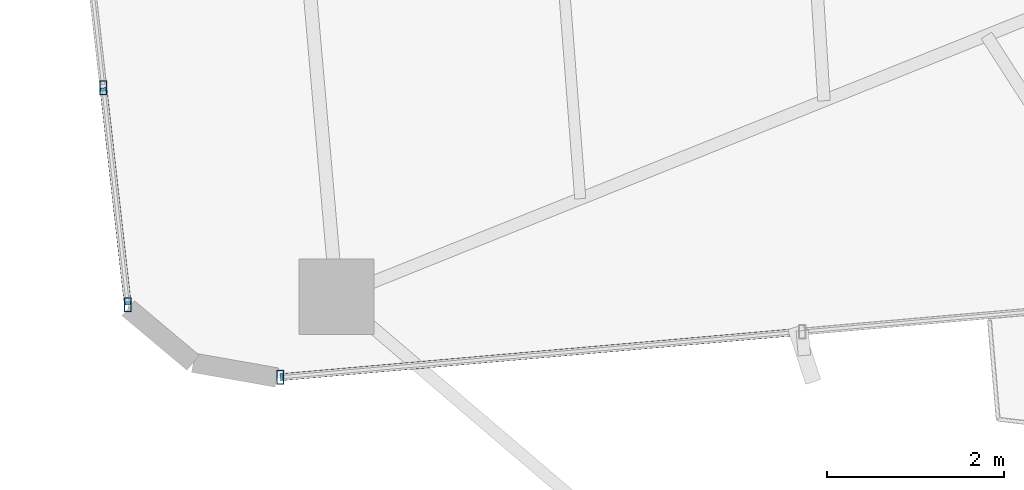
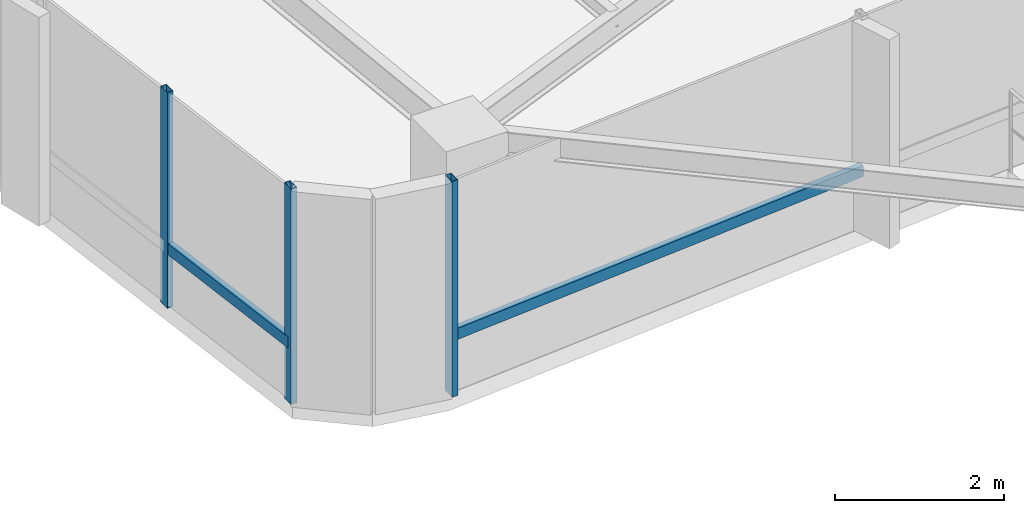
# One storey, part 3 of 24: 5 members, 2 elements without a shape of their own.
"""IFC4 building model written with IfcOpenShell, lengths in metres."""

from ifc_helpers import new_model, si_unit, direction, frame, origin, origin_2d, place, context, subcontext, project, spatial, hollow_rectangle, extrude, source, transform, mapped, material, material_profile, profile_set, type_object, element, aggregate, save


model = new_model("IFC4")

# Units and contexts
model_context = context("Model", 3, precision=1e-05, world=origin(), true_north=direction((0.0, 1.0)))
body_context = subcontext(model_context, "Body", "Model", "MODEL_VIEW")
ifc_project = project(units=[si_unit("LENGTHUNIT", "METRE"), si_unit("AREAUNIT", "SQUARE_METRE"), si_unit("VOLUMEUNIT", "CUBIC_METRE"), si_unit("PLANEANGLEUNIT", "RADIAN"), si_unit("MASSUNIT", "GRAM", prefix="KILO")], contexts=[model_context])

# Site, building, storey
site_placement = place(None, origin())
site = spatial("IfcSite", under=ifc_project, at=site_placement, CompositionType="ELEMENT")
building_placement = place(site_placement, origin())
building = spatial("IfcBuilding", under=site, at=building_placement, Name="Sahyath Konkavel Grand Hotel", CompositionType="ELEMENT")
storey_placement = place(building_placement, frame((0.0, 0.0, 185.25)))
storey = spatial("IfcBuildingStorey", under=building, at=storey_placement, Name="L51", CompositionType="ELEMENT", Elevation=185.25)

# Curtain wall, members
ifc_material_1 = material(Name="Anodised Bronze Aluminium & Low-E Glazing", Category="aluminium")
curtain_wall_type = type_object("IfcCurtainWallType", Name="CW-ZONE3", PredefinedType="NOTDEFINED", material=ifc_material_1)
curtain_wall_1_placement = place(storey_placement, origin())
curtain_wall_1 = element("IfcCurtainWall", 1, at=curtain_wall_1_placement, inside=storey, type_object=curtain_wall_type, Name="L51 Unitised Curtain Wall F20", PredefinedType="NOTDEFINED")
ifc_material_2 = material(Name="Anodised Bronze Aluminium", Category="aluminium")
ifc_material_profile_1 = material_profile(ifc_material_2, hollow_rectangle(XDim=0.080078125, YDim=0.159912109375, WallThickness=0.006103515625, at=origin_2d()), Name="RHS 160x80x6")
ifc_profile_set_1 = profile_set([ifc_material_profile_1], Name="Anodised Bronze Aluminium")
member_type_1 = type_object("IfcMemberType", Name="CW-MUL-160", PredefinedType="MULLION", material=ifc_profile_set_1)
shared_shape_1 = source(origin(), body_context, "Body", "SweptSolid", [
    extrude(hollow_rectangle(XDim=0.080078125, YDim=0.159912109375, WallThickness=0.006103515625, at=origin_2d()), origin(), (0.0, 0.0, 1.0), 3.110107421875),
])
member_1_placement = place(storey_placement, frame((-19.583984375, -4.648193359375, 0.0), z_axis=(0.0, 0.0, 1.0), x_axis=(1.0, 0.0, 0.0)))
member_1 = element("IfcMember", 2, at=member_1_placement, type_object=member_type_1, Name="L51 Curtain Wall Mullion F20-3", PredefinedType="MULLION", context=body_context, shape_type="MappedRepresentation", body=[
    mapped(shared_shape_1, transform((0.0, 0.0, 0.0), scale=1.0)),
])
member_2_placement = place(storey_placement, frame((-19.308349609375, -7.094970703125, 0.0), z_axis=(0.0, 0.0, 1.0), x_axis=(1.0, 0.0, 0.0)))
member_2 = element("IfcMember", 3, at=member_2_placement, type_object=member_type_1, Name="L51 Curtain Wall Mullion F20-4", PredefinedType="MULLION", context=body_context, shape_type="MappedRepresentation", body=[
    mapped(shared_shape_1, transform((0.0, 0.0, 0.0), scale=1.0)),
])

# Curtain wall, member
curtain_wall_2_placement = place(storey_placement, origin())
curtain_wall_2 = element("IfcCurtainWall", 4, at=curtain_wall_2_placement, inside=storey, type_object=curtain_wall_type, Name="L51 Unitised Curtain Wall F23", PredefinedType="NOTDEFINED")
member_3_placement = place(storey_placement, frame((-17.58740234375, -7.912841796875, 0.0), z_axis=(0.0, 0.0, 1.0), x_axis=(1.0, 0.0, 0.0)))
member_3 = element("IfcMember", 5, at=member_3_placement, type_object=member_type_1, Name="L51 Curtain Wall Mullion F23-0", PredefinedType="MULLION", context=body_context, shape_type="MappedRepresentation", body=[
    mapped(shared_shape_1, transform((0.0, 0.0, 0.0), scale=1.0)),
])

# Member
ifc_material_profile_2 = material_profile(ifc_material_2, hollow_rectangle(XDim=0.080078125, YDim=0.159912109375, WallThickness=0.006103515625, at=origin_2d()), Name="RHS 160x80x6")
ifc_profile_set_2 = profile_set([ifc_material_profile_2], Name="Anodised Bronze Aluminium")
member_type_2 = type_object("IfcMemberType", Name="CW-TRN-160", PredefinedType="USERDEFINED", material=ifc_profile_set_2)
shared_shape_2 = source(origin(), body_context, "Body", "SweptSolid", [
    extrude(hollow_rectangle(XDim=0.080078125, YDim=0.159912109375, WallThickness=0.006103515625, at=origin_2d()), origin(), (0.0, 0.0, 1.0), 2.462158203125),
])
member_4_placement = place(storey_placement, frame((-19.583984375, -4.648193359375, 0.85009765625), z_axis=(0.11194409079, -0.993714506555, 0.0), x_axis=(0.993714506555, 0.11194409079, 0.0)))
member_4 = element("IfcMember", 6, at=member_4_placement, type_object=member_type_2, Name="L51 Curtain Wall Transom F20-3-spandrel", ObjectType="TRANSOM", PredefinedType="USERDEFINED", context=body_context, shape_type="MappedRepresentation", body=[
    mapped(shared_shape_2, transform((0.0, 0.0, 0.0), scale=1.0)),
])

aggregate(curtain_wall_1, [member_1, member_2, member_4])

shared_shape_3 = source(origin(), body_context, "Body", "SweptSolid", [
    extrude(hollow_rectangle(XDim=0.080078125, YDim=0.159912109375, WallThickness=0.006103515625, at=origin_2d()), origin(), (0.0, 0.0, 1.0), 5.91015625),
])
member_5_placement = place(storey_placement, frame((-17.58740234375, -7.912841796875, 0.85009765625), z_axis=(0.996197841474, 0.087119806256, 0.0), x_axis=(-0.087119806256, 0.996197841474, 0.0)))
member_5 = element("IfcMember", 7, at=member_5_placement, type_object=member_type_2, Name="L51 Curtain Wall Transom F23-0-spandrel", ObjectType="TRANSOM", PredefinedType="USERDEFINED", context=body_context, shape_type="MappedRepresentation", body=[
    mapped(shared_shape_3, transform((0.0, 0.0, 0.0), scale=1.0)),
])

aggregate(curtain_wall_2, [member_3, member_5])

save(model, "model.ifc")
